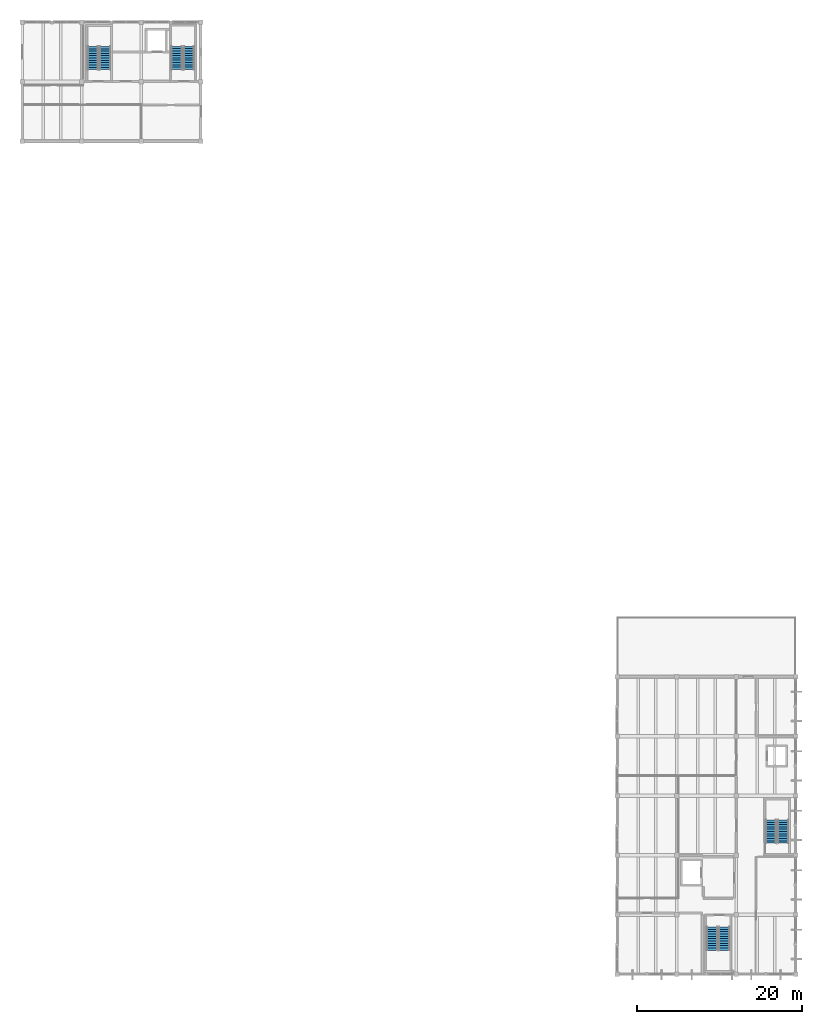
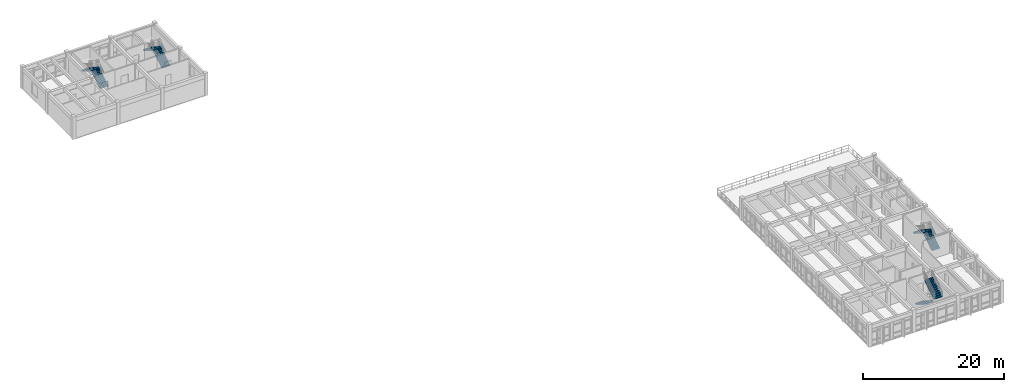
# One storey, part 19 of 22: 8 stair flights, 4 elements without a shape of their own.
"""IFC4 building model written with IfcOpenShell, lengths in metres."""

from ifc_helpers import new_model, si_unit, direction, frame, origin, place, context, subcontext, project, spatial, polyline, outline, extrude, material, type_object, element, aggregate, save


model = new_model("IFC4")

# Units and contexts
model_context = context("Model", 3, precision=1e-05, world=origin(), true_north=direction((0.0, 1.0)))
body_context = subcontext(model_context, "Body", "Model", "MODEL_VIEW")
ifc_project = project(units=[si_unit("LENGTHUNIT", "METRE"), si_unit("AREAUNIT", "SQUARE_METRE"), si_unit("VOLUMEUNIT", "CUBIC_METRE"), si_unit("PLANEANGLEUNIT", "RADIAN"), si_unit("MASSUNIT", "GRAM", prefix="KILO")], contexts=[model_context])

# Site, building, storey
site_placement = place(None, origin())
site = spatial("IfcSite", under=ifc_project, at=site_placement, CompositionType="ELEMENT")
building_placement = place(site_placement, origin())
building = spatial("IfcBuilding", under=site, at=building_placement, Name="Koriwan Promenade Central Fire Station", CompositionType="ELEMENT")
storey_placement = place(building_placement, frame((0.0, 0.0, 17.39990234375)))
storey = spatial("IfcBuildingStorey", under=building, at=storey_placement, Name="L04", CompositionType="ELEMENT", Elevation=17.39990234375)

# Stair, stair flights
ifc_material = material(Name="Concrete C35/45", Category="concrete")
stair_type_1 = type_object("IfcStairType", Name="Stair_HALF_22R_1320", PredefinedType="HALF_TURN_STAIR", material=ifc_material)
stair_1_placement = place(storey_placement, origin())
stair_1 = element("IfcStair", 1, at=stair_1_placement, inside=storey, type_object=stair_type_1, Name="L04 Protected Stair ST09", PredefinedType="HALF_TURN_STAIR")
stair_flight_type_1 = type_object("IfcStairFlightType", Name="StairFlight_11R_177H_1320", PredefinedType="STRAIGHT", material=ifc_material)
stair_flight_1_placement = place(storey_placement, frame((89.239990234375, 109.469970703125, 0.0), z_axis=(0.0, 0.0, 1.0), x_axis=(0.0, 1.0, 0.0)))
stair_flight_1 = element("IfcStairFlight", 2, at=stair_flight_1_placement, type_object=stair_flight_type_1, Name="ST09 flight 1", NumberOfRisers=11, NumberOfTreads=10, PredefinedType="STRAIGHT", RiserHeight=0.177272727, TreadLength=0.28, context=body_context, shape_type="SweptSolid", body=[
    extrude(outline(polyline([(0.0, 0.0), (0.0, 0.17724609375), (0.280029296875, 0.17724609375), (0.280029296875, 0.3544921875), (0.56005859375, 0.3544921875), (0.56005859375, 0.53173828125), (0.840087890625, 0.53173828125), (0.840087890625, 0.708984375), (1.1201171875, 0.708984375), (1.1201171875, 0.886474609375), (1.39990234375, 0.886474609375), (1.39990234375, 1.063720703125), (1.679931640625, 1.063720703125), (1.679931640625, 1.240966796875), (1.9599609375, 1.240966796875), (1.9599609375, 1.418212890625), (2.239990234375, 1.418212890625), (2.239990234375, 1.595458984375), (2.52001953125, 1.595458984375), (2.52001953125, 1.772705078125), (2.800048828125, 1.772705078125), (2.800048828125, 1.949951171875), (2.800048828125, 1.59521484375), (0.2802734375, 0.0), (0.0, 0.0)])), frame((0.0, 0.66015625, 0.0), z_axis=(0.0, -1.0, 0.0), x_axis=(1.0, 0.0, 0.0)), (0.0, 0.0, 1.0), 1.320068359375),
])
stair_flight_2_placement = place(storey_placement, frame((87.77001953125, 112.27001953125, 1.9501953125), z_axis=(0.0, 0.0, 1.0), x_axis=(0.0, -1.0, 0.0)))
stair_flight_2 = element("IfcStairFlight", 3, at=stair_flight_2_placement, type_object=stair_flight_type_1, Name="ST09 flight 2", NumberOfRisers=11, NumberOfTreads=10, PredefinedType="STRAIGHT", RiserHeight=0.177272727, TreadLength=0.28, context=body_context, shape_type="SweptSolid", body=[
    extrude(outline(polyline([(0.0, 0.0), (0.0, 0.17724609375), (0.280029296875, 0.17724609375), (0.280029296875, 0.3544921875), (0.56005859375, 0.3544921875), (0.56005859375, 0.53173828125), (0.840087890625, 0.53173828125), (0.840087890625, 0.708984375), (1.1201171875, 0.708984375), (1.1201171875, 0.886474609375), (1.39990234375, 0.886474609375), (1.39990234375, 1.063720703125), (1.679931640625, 1.063720703125), (1.679931640625, 1.240966796875), (1.9599609375, 1.240966796875), (1.9599609375, 1.418212890625), (2.239990234375, 1.418212890625), (2.239990234375, 1.595458984375), (2.52001953125, 1.595458984375), (2.52001953125, 1.772705078125), (2.800048828125, 1.772705078125), (2.800048828125, 1.949951171875), (2.800048828125, 1.59521484375), (0.2802734375, 0.0), (0.0, 0.0)])), frame((0.0, 0.66015625, 0.0), z_axis=(0.0, -1.0, 0.0), x_axis=(1.0, 0.0, 0.0)), (0.0, 0.0, 1.0), 1.320068359375),
])
aggregate(stair_1, [stair_flight_1, stair_flight_2])

stair_2_placement = place(storey_placement, origin())
stair_2 = element("IfcStair", 4, at=stair_2_placement, inside=storey, type_object=stair_type_1, Name="L04 Protected Stair ST27", PredefinedType="HALF_TURN_STAIR")
stair_flight_3_placement = place(storey_placement, frame((171.2900390625, 15.8701171875, 0.0), z_axis=(0.0, 0.0, 1.0), x_axis=(0.0, 1.0, 0.0)))
stair_flight_3 = element("IfcStairFlight", 5, at=stair_flight_3_placement, type_object=stair_flight_type_1, Name="ST27 flight 1", NumberOfRisers=11, NumberOfTreads=10, PredefinedType="STRAIGHT", RiserHeight=0.177272727, TreadLength=0.28, context=body_context, shape_type="SweptSolid", body=[
    extrude(outline(polyline([(0.0, 0.0), (0.0, 0.17724609375), (0.280029296875, 0.17724609375), (0.280029296875, 0.3544921875), (0.56005859375, 0.3544921875), (0.56005859375, 0.53173828125), (0.840087890625, 0.53173828125), (0.840087890625, 0.708984375), (1.1201171875, 0.708984375), (1.1201171875, 0.886474609375), (1.39990234375, 0.886474609375), (1.39990234375, 1.063720703125), (1.679931640625, 1.063720703125), (1.679931640625, 1.240966796875), (1.9599609375, 1.240966796875), (1.9599609375, 1.418212890625), (2.239990234375, 1.418212890625), (2.239990234375, 1.595458984375), (2.52001953125, 1.595458984375), (2.52001953125, 1.772705078125), (2.800048828125, 1.772705078125), (2.800048828125, 1.949951171875), (2.800048828125, 1.59521484375), (0.2802734375, 0.0), (0.0, 0.0)])), frame((0.0, 0.66015625, 0.0), z_axis=(0.0, -1.0, 0.0), x_axis=(1.0, 0.0, 0.0)), (0.0, 0.0, 1.0), 1.320068359375),
])
stair_flight_4_placement = place(storey_placement, frame((169.820068359375, 18.669921875, 1.9501953125), z_axis=(0.0, 0.0, 1.0), x_axis=(0.0, -1.0, 0.0)))
stair_flight_4 = element("IfcStairFlight", 6, at=stair_flight_4_placement, type_object=stair_flight_type_1, Name="ST27 flight 2", NumberOfRisers=11, NumberOfTreads=10, PredefinedType="STRAIGHT", RiserHeight=0.177272727, TreadLength=0.28, context=body_context, shape_type="SweptSolid", body=[
    extrude(outline(polyline([(0.0, 0.0), (0.0, 0.17724609375), (0.280029296875, 0.17724609375), (0.280029296875, 0.3544921875), (0.56005859375, 0.3544921875), (0.56005859375, 0.53173828125), (0.840087890625, 0.53173828125), (0.840087890625, 0.708984375), (1.1201171875, 0.708984375), (1.1201171875, 0.886474609375), (1.39990234375, 0.886474609375), (1.39990234375, 1.063720703125), (1.679931640625, 1.063720703125), (1.679931640625, 1.240966796875), (1.9599609375, 1.240966796875), (1.9599609375, 1.418212890625), (2.239990234375, 1.418212890625), (2.239990234375, 1.595458984375), (2.52001953125, 1.595458984375), (2.52001953125, 1.772705078125), (2.800048828125, 1.772705078125), (2.800048828125, 1.949951171875), (2.800048828125, 1.59521484375), (0.2802734375, 0.0), (0.0, 0.0)])), frame((0.0, 0.66015625, 0.0), z_axis=(0.0, -1.0, 0.0), x_axis=(1.0, 0.0, 0.0)), (0.0, 0.0, 1.0), 1.320068359375),
])
aggregate(stair_2, [stair_flight_3, stair_flight_4])

stair_type_2 = type_object("IfcStairType", Name="Stair_HALF_22R_1340", PredefinedType="HALF_TURN_STAIR", material=ifc_material)
stair_3_placement = place(storey_placement, origin())
stair_3 = element("IfcStair", 7, at=stair_3_placement, inside=storey, type_object=stair_type_2, Name="L04 Protected Stair ST04", PredefinedType="HALF_TURN_STAIR")
stair_flight_type_2 = type_object("IfcStairFlightType", Name="StairFlight_11R_177H_1340", PredefinedType="STRAIGHT", material=ifc_material)
stair_flight_5_placement = place(storey_placement, frame((99.3798828125, 109.489990234375, 0.0), z_axis=(0.0, 0.0, 1.0), x_axis=(0.0, 1.0, 0.0)))
stair_flight_5 = element("IfcStairFlight", 8, at=stair_flight_5_placement, type_object=stair_flight_type_2, Name="ST04 flight 1", NumberOfRisers=11, NumberOfTreads=10, PredefinedType="STRAIGHT", RiserHeight=0.177272727, TreadLength=0.28, context=body_context, shape_type="SweptSolid", body=[
    extrude(outline(polyline([(0.0, 0.0), (0.0, 0.17724609375), (0.280029296875, 0.17724609375), (0.280029296875, 0.3544921875), (0.56005859375, 0.3544921875), (0.56005859375, 0.53173828125), (0.840087890625, 0.53173828125), (0.840087890625, 0.708984375), (1.1201171875, 0.708984375), (1.1201171875, 0.886474609375), (1.39990234375, 0.886474609375), (1.39990234375, 1.063720703125), (1.679931640625, 1.063720703125), (1.679931640625, 1.240966796875), (1.9599609375, 1.240966796875), (1.9599609375, 1.418212890625), (2.239990234375, 1.418212890625), (2.239990234375, 1.595458984375), (2.52001953125, 1.595458984375), (2.52001953125, 1.772705078125), (2.800048828125, 1.772705078125), (2.800048828125, 1.949951171875), (2.800048828125, 1.59521484375), (0.2802734375, 0.0), (0.0, 0.0)])), frame((0.0, 0.669921875, 0.0), z_axis=(0.0, -1.0, 0.0), x_axis=(1.0, 0.0, 0.0)), (0.0, 0.0, 1.0), 1.340087890625),
])
stair_flight_6_placement = place(storey_placement, frame((97.889892578125, 112.2900390625, 1.9501953125), z_axis=(0.0, 0.0, 1.0), x_axis=(0.0, -1.0, 0.0)))
stair_flight_6 = element("IfcStairFlight", 9, at=stair_flight_6_placement, type_object=stair_flight_type_2, Name="ST04 flight 2", NumberOfRisers=11, NumberOfTreads=10, PredefinedType="STRAIGHT", RiserHeight=0.177272727, TreadLength=0.28, context=body_context, shape_type="SweptSolid", body=[
    extrude(outline(polyline([(0.0, 0.0), (0.0, 0.17724609375), (0.280029296875, 0.17724609375), (0.280029296875, 0.3544921875), (0.56005859375, 0.3544921875), (0.56005859375, 0.53173828125), (0.840087890625, 0.53173828125), (0.840087890625, 0.708984375), (1.1201171875, 0.708984375), (1.1201171875, 0.886474609375), (1.39990234375, 0.886474609375), (1.39990234375, 1.063720703125), (1.679931640625, 1.063720703125), (1.679931640625, 1.240966796875), (1.9599609375, 1.240966796875), (1.9599609375, 1.418212890625), (2.239990234375, 1.418212890625), (2.239990234375, 1.595458984375), (2.52001953125, 1.595458984375), (2.52001953125, 1.772705078125), (2.800048828125, 1.772705078125), (2.800048828125, 1.949951171875), (2.800048828125, 1.59521484375), (0.2802734375, 0.0), (0.0, 0.0)])), frame((0.0, 0.669921875, 0.0), z_axis=(0.0, -1.0, 0.0), x_axis=(1.0, 0.0, 0.0)), (0.0, 0.0, 1.0), 1.340087890625),
])
aggregate(stair_3, [stair_flight_5, stair_flight_6])

stair_type_3 = type_object("IfcStairType", Name="Stair_HALF_22R_1350", PredefinedType="HALF_TURN_STAIR", material=ifc_material)
stair_4_placement = place(storey_placement, origin())
stair_4 = element("IfcStair", 10, at=stair_4_placement, inside=storey, type_object=stair_type_3, Name="L04 Protected Stair ST22", PredefinedType="HALF_TURN_STAIR")
stair_flight_type_3 = type_object("IfcStairFlightType", Name="StairFlight_11R_177H_1350", PredefinedType="STRAIGHT", material=ifc_material)
stair_flight_7_placement = place(storey_placement, frame((162.675048828125, 5.699951171875, 0.0), z_axis=(0.0, 0.0, 1.0), x_axis=(0.0, -1.0, 0.0)))
stair_flight_7 = element("IfcStairFlight", 11, at=stair_flight_7_placement, type_object=stair_flight_type_3, Name="ST22 flight 1", NumberOfRisers=11, NumberOfTreads=10, PredefinedType="STRAIGHT", RiserHeight=0.177272727, TreadLength=0.28, context=body_context, shape_type="SweptSolid", body=[
    extrude(outline(polyline([(0.0, 0.0), (0.0, 0.17724609375), (0.280029296875, 0.17724609375), (0.280029296875, 0.3544921875), (0.56005859375, 0.3544921875), (0.56005859375, 0.53173828125), (0.840087890625, 0.53173828125), (0.840087890625, 0.708984375), (1.1201171875, 0.708984375), (1.1201171875, 0.886474609375), (1.39990234375, 0.886474609375), (1.39990234375, 1.063720703125), (1.679931640625, 1.063720703125), (1.679931640625, 1.240966796875), (1.9599609375, 1.240966796875), (1.9599609375, 1.418212890625), (2.239990234375, 1.418212890625), (2.239990234375, 1.595458984375), (2.52001953125, 1.595458984375), (2.52001953125, 1.772705078125), (2.800048828125, 1.772705078125), (2.800048828125, 1.949951171875), (2.800048828125, 1.59521484375), (0.2802734375, 0.0), (0.0, 0.0)])), frame((0.0, 0.675048828125, 0.0), z_axis=(0.0, -1.0, 0.0), x_axis=(1.0, 0.0, 0.0)), (0.0, 0.0, 1.0), 1.35009765625),
])
stair_flight_8_placement = place(storey_placement, frame((164.175048828125, 2.89990234375, 1.9501953125), z_axis=(0.0, 0.0, 1.0), x_axis=(0.0, 1.0, 0.0)))
stair_flight_8 = element("IfcStairFlight", 12, at=stair_flight_8_placement, type_object=stair_flight_type_3, Name="ST22 flight 2", NumberOfRisers=11, NumberOfTreads=10, PredefinedType="STRAIGHT", RiserHeight=0.177272727, TreadLength=0.28, context=body_context, shape_type="SweptSolid", body=[
    extrude(outline(polyline([(0.0, 0.0), (0.0, 0.17724609375), (0.280029296875, 0.17724609375), (0.280029296875, 0.3544921875), (0.56005859375, 0.3544921875), (0.56005859375, 0.53173828125), (0.840087890625, 0.53173828125), (0.840087890625, 0.708984375), (1.1201171875, 0.708984375), (1.1201171875, 0.886474609375), (1.39990234375, 0.886474609375), (1.39990234375, 1.063720703125), (1.679931640625, 1.063720703125), (1.679931640625, 1.240966796875), (1.9599609375, 1.240966796875), (1.9599609375, 1.418212890625), (2.239990234375, 1.418212890625), (2.239990234375, 1.595458984375), (2.52001953125, 1.595458984375), (2.52001953125, 1.772705078125), (2.800048828125, 1.772705078125), (2.800048828125, 1.949951171875), (2.800048828125, 1.59521484375), (0.2802734375, 0.0), (0.0, 0.0)])), frame((0.0, 0.675048828125, 0.0), z_axis=(0.0, -1.0, 0.0), x_axis=(1.0, 0.0, 0.0)), (0.0, 0.0, 1.0), 1.35009765625),
])
aggregate(stair_4, [stair_flight_7, stair_flight_8])

save(model, "model.ifc")
